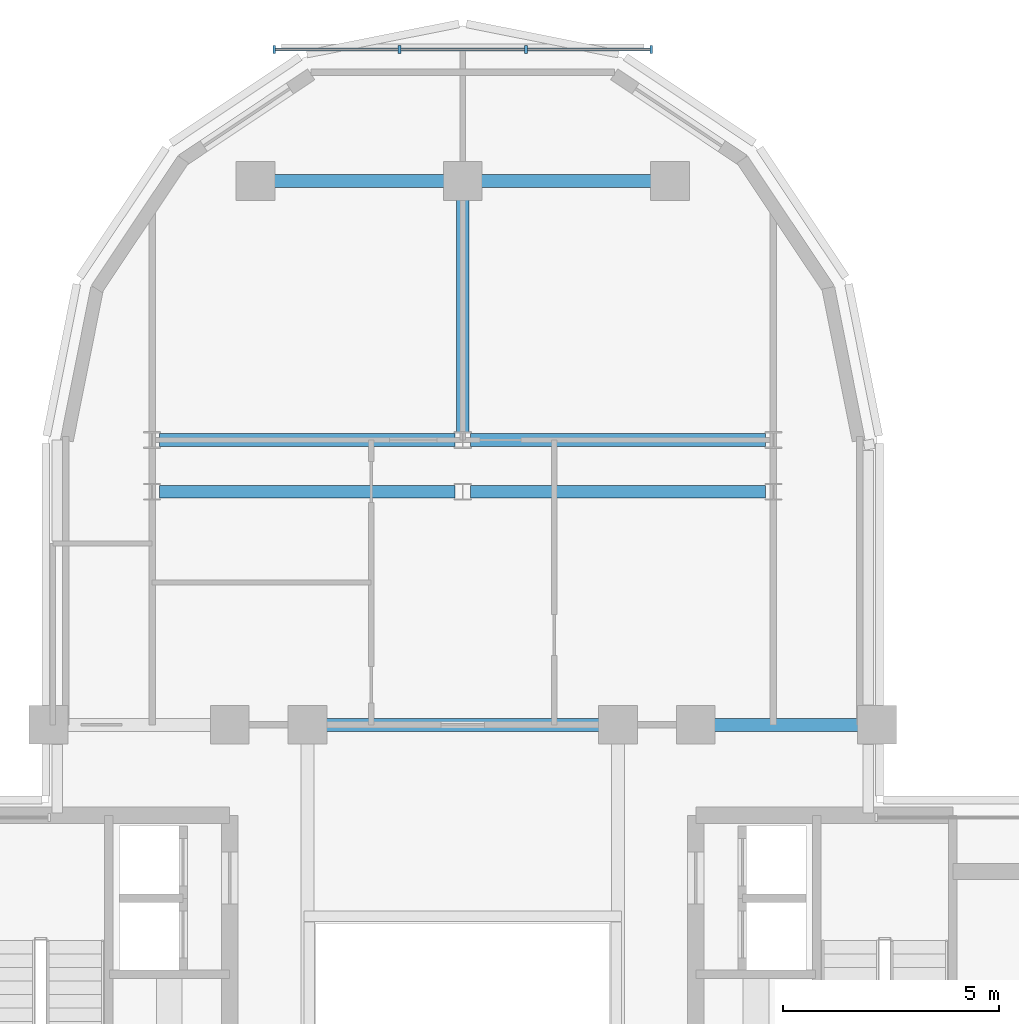
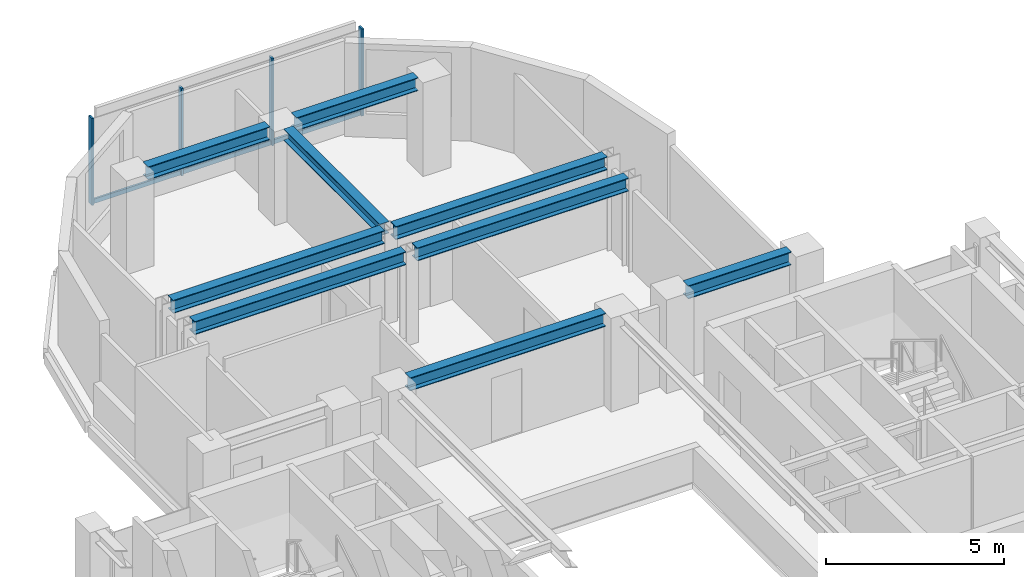
# One storey, part 4 of 11: 9 beams, 7 members, 1 element without a shape of its own.
"""IFC4 building model written with IfcOpenShell, lengths in metres."""

from ifc_helpers import new_model, si_unit, direction, frame, origin, origin_2d, place, context, subcontext, project, spatial, rectangle, i_section, extrude, source, transform, mapped, material, material_profile, profile_set, type_object, element, aggregate, save


model = new_model("IFC4")

# Units and contexts
model_context = context("Model", 3, precision=1e-05, world=origin(), true_north=direction((0.0, 1.0)))
body_context = subcontext(model_context, "Body", "Model", "MODEL_VIEW")
ifc_project = project(units=[si_unit("LENGTHUNIT", "METRE"), si_unit("AREAUNIT", "SQUARE_METRE"), si_unit("VOLUMEUNIT", "CUBIC_METRE"), si_unit("PLANEANGLEUNIT", "RADIAN"), si_unit("MASSUNIT", "GRAM", prefix="KILO")], contexts=[model_context])

# Site, building, storey
site_placement = place(None, origin())
site = spatial("IfcSite", under=ifc_project, at=site_placement, CompositionType="ELEMENT")
building_placement = place(site_placement, origin())
building = spatial("IfcBuilding", under=site, at=building_placement, Name="Keilestroom Media Tower", CompositionType="ELEMENT")
storey_placement = place(building_placement, frame((0.0, 0.0, 208.0)))
storey = spatial("IfcBuildingStorey", under=building, at=storey_placement, Name="L57", CompositionType="ELEMENT", Elevation=208.0)

# Beams
ifc_material_1 = material(Name="Steel S355", Category="steel")
ifc_material_profile_1 = material_profile(ifc_material_1, i_section(OverallWidth=0.300048828125, OverallDepth=0.449951171875, WebThickness=0.011962890625, FlangeThickness=0.02587890625, at=origin_2d()), Name="HEB 450")
ifc_profile_set_1 = profile_set([ifc_material_profile_1], Name="Steel S355")
beam_type_1 = type_object("IfcBeamType", Name="Primary-Structural-Girder-HEB-450", PredefinedType="BEAM", material=ifc_profile_set_1)
shared_shape_1 = source(origin(), body_context, "Body", "SweptSolid", [
    extrude(i_section(OverallWidth=0.300048828125, OverallDepth=0.449951171875, WebThickness=0.011962890625, FlangeThickness=0.02587890625, at=origin_2d()), origin(), (0.0, 0.0, 1.0), 3.940185546875),
])
for number, where, z_axis, x_axis, name in (
    (1, (-4.3701171875, 21.60009765625, 2.97509765625), (1.0, 0.0, 0.0), (0.0, 1.0, 0.0), "L57 Beam BG-7 BM-L57-EW-029"),
    (2, (0.429931640625, 21.60009765625, 2.97509765625), (1.0, 0.0, 0.0), (0.0, 1.0, 0.0), "L57 Beam BG-7 BM-L57-EW-030"),
):
    element("IfcBeam", number, at=place(storey_placement, frame(where, z_axis=z_axis, x_axis=x_axis)), inside=storey, type_object=beam_type_1, Name=name, PredefinedType="BEAM", context=body_context, shape_type="MappedRepresentation", body=[
        mapped(shared_shape_1, transform((0.0, 0.0, 0.0), x_axis=(1.0, 0.0, 0.0), y_axis=(0.0, 1.0, 0.0), z_axis=(0.0, 0.0, 1.0), scale=1.0)),
    ])
shared_shape_2 = source(origin(), body_context, "Body", "SweptSolid", [
    extrude(i_section(OverallWidth=0.300048828125, OverallDepth=0.449951171875, WebThickness=0.011962890625, FlangeThickness=0.02587890625, at=origin_2d()), origin(), (0.0, 0.0, 1.0), 6.842041015625),
])
for number, where, z_axis, x_axis, name in (
    (3, (-7.02099609375, 14.39990234375, 2.97509765625), (1.0, 0.0, 0.0), (0.0, 1.0, 0.0), "L57 Beam BG-7 BM-L57-EW-025"),
    (4, (0.178955078125, 14.39990234375, 2.97509765625), (1.0, 0.0, 0.0), (0.0, 1.0, 0.0), "L57 Beam BG-7 BM-L57-EW-026"),
    (5, (-7.02099609375, 15.60009765625, 2.97509765625), (1.0, 0.0, 0.0), (0.0, 1.0, 0.0), "L57 Beam BG-7 BM-L57-EW-027"),
    (6, (0.178955078125, 15.60009765625, 2.97509765625), (1.0, 0.0, 0.0), (0.0, 1.0, 0.0), "L57 Beam BG-7 BM-L57-EW-028"),
):
    element("IfcBeam", number, at=place(storey_placement, frame(where, z_axis=z_axis, x_axis=x_axis)), inside=storey, type_object=beam_type_1, Name=name, PredefinedType="BEAM", context=body_context, shape_type="MappedRepresentation", body=[
        mapped(shared_shape_2, transform((0.0, 0.0, 0.0), x_axis=(1.0, 0.0, 0.0), y_axis=(0.0, 1.0, 0.0), z_axis=(0.0, 0.0, 1.0), scale=1.0)),
    ])
shared_shape_3 = source(origin(), body_context, "Body", "SweptSolid", [
    extrude(i_section(OverallWidth=0.300048828125, OverallDepth=0.449951171875, WebThickness=0.011962890625, FlangeThickness=0.02587890625, at=origin_2d()), origin(), (0.0, 0.0, 1.0), 3.33984375),
])
beam_1_placement = place(storey_placement, frame((5.830078125, 9.0, 2.97509765625), z_axis=(1.0, 0.0, 0.0), x_axis=(0.0, 1.0, 0.0)))
element("IfcBeam", 7, at=beam_1_placement, inside=storey, type_object=beam_type_1, Name="L57 Beam BG-7 BM-L57-EW-024", PredefinedType="BEAM", context=body_context, shape_type="MappedRepresentation", body=[
    mapped(shared_shape_3, transform((0.0, 0.0, 0.0), x_axis=(1.0, 0.0, 0.0), y_axis=(0.0, 1.0, 0.0), z_axis=(0.0, 0.0, 1.0), scale=1.0)),
])
shared_shape_4 = source(origin(), body_context, "Body", "SweptSolid", [
    extrude(i_section(OverallWidth=0.300048828125, OverallDepth=0.449951171875, WebThickness=0.011962890625, FlangeThickness=0.02587890625, at=origin_2d()), origin(), (0.0, 0.0, 1.0), 6.33984375),
])
beam_2_placement = place(storey_placement, frame((-3.169921875, 9.0, 2.97509765625), z_axis=(1.0, 0.0, 0.0), x_axis=(0.0, 1.0, 0.0)))
element("IfcBeam", 8, at=beam_2_placement, inside=storey, type_object=beam_type_1, Name="L57 Beam BG-7 BM-L57-EW-022", PredefinedType="BEAM", context=body_context, shape_type="MappedRepresentation", body=[
    mapped(shared_shape_4, transform((0.0, 0.0, 0.0), x_axis=(1.0, 0.0, 0.0), y_axis=(0.0, 1.0, 0.0), z_axis=(0.0, 0.0, 1.0), scale=1.0)),
])
ifc_material_profile_2 = material_profile(ifc_material_1, i_section(OverallWidth=0.300048828125, OverallDepth=0.39990234375, WebThickness=0.011474609375, FlangeThickness=0.02392578125, at=origin_2d()), Name="HEB 400")
ifc_profile_set_2 = profile_set([ifc_material_profile_2], Name="Steel S355")
beam_type_2 = type_object("IfcBeamType", Name="Primary-Structural-Girder-HEB-400", PredefinedType="BEAM", material=ifc_profile_set_2)
shared_shape_5 = source(origin(), body_context, "Body", "SweptSolid", [
    extrude(i_section(OverallWidth=0.300048828125, OverallDepth=0.39990234375, WebThickness=0.011474609375, FlangeThickness=0.02392578125, at=origin_2d()), origin(), (0.0, 0.0, 1.0), 5.396484375),
])
beam_3_placement = place(storey_placement, frame((0.0, 15.7734375, 3.0), z_axis=(0.0, 1.0, 0.0), x_axis=(-1.0, 0.0, 0.0)))
element("IfcBeam", 9, at=beam_3_placement, inside=storey, type_object=beam_type_2, Name="L57 Beam BG-8 BM-L57-NS-044", PredefinedType="BEAM", context=body_context, shape_type="MappedRepresentation", body=[
    mapped(shared_shape_5, transform((0.0, 0.0, 0.0), x_axis=(1.0, 0.0, 0.0), y_axis=(0.0, 1.0, 0.0), z_axis=(0.0, 0.0, 1.0), scale=1.0)),
])

# Curtain wall, members
ifc_material_2 = material(Name="Anodised Aluminium Alloy", Category="aluminium")
curtain_wall_type = type_object("IfcCurtainWallType", Name="Unitised-Curtain-Wall-CW-6", PredefinedType="NOTDEFINED", material=ifc_material_2)
curtain_wall_placement = place(storey_placement, origin())
curtain_wall = element("IfcCurtainWall", 10, at=curtain_wall_placement, inside=storey, type_object=curtain_wall_type, Name="L57 Curtain Wall CW-6 CW-L57-LN-1", PredefinedType="NOTDEFINED")
ifc_material_profile_3 = material_profile(ifc_material_2, rectangle(XDim=0.06494140625, YDim=0.179931640625, at=origin_2d()), Name="ALU MULLION 65x180")
ifc_profile_set_3 = profile_set([ifc_material_profile_3], Name="Anodised Aluminium Alloy")
member_type_1 = type_object("IfcMemberType", Name="Curtain-Wall-Mullion-CW-6", PredefinedType="MULLION", material=ifc_profile_set_3)
shared_shape_6 = source(origin(), body_context, "Body", "SweptSolid", [
    extrude(rectangle(XDim=0.06494140625, YDim=0.179931640625, at=origin_2d()), origin(), (0.0, 0.0, 1.0), 2.97998046875),
])
member_1_placement = place(storey_placement, frame((-4.367431640625, 24.64990234375, 0.0), z_axis=(0.0, 0.0, 1.0), x_axis=(1.0, 0.0, 0.0)))
member_1 = element("IfcMember", 11, at=member_1_placement, type_object=member_type_1, Name="CW-6 Mullion 00", PredefinedType="MULLION", context=body_context, shape_type="MappedRepresentation", body=[
    mapped(shared_shape_6, transform((0.0, 0.0, 0.0), x_axis=(1.0, 0.0, 0.0), y_axis=(0.0, 1.0, 0.0), z_axis=(0.0, 0.0, 1.0), scale=1.0)),
])
member_2_placement = place(storey_placement, frame((-1.466796875, 24.64990234375, 0.0), z_axis=(0.0, 0.0, 1.0), x_axis=(1.0, 0.0, 0.0)))
member_2 = element("IfcMember", 12, at=member_2_placement, type_object=member_type_1, Name="CW-6 Mullion 01", PredefinedType="MULLION", context=body_context, shape_type="MappedRepresentation", body=[
    mapped(shared_shape_6, transform((0.0, 0.0, 0.0), x_axis=(1.0, 0.0, 0.0), y_axis=(0.0, 1.0, 0.0), z_axis=(0.0, 0.0, 1.0), scale=1.0)),
])
member_3_placement = place(storey_placement, frame((1.466796875, 24.64990234375, 0.0), z_axis=(0.0, 0.0, 1.0), x_axis=(1.0, 0.0, 0.0)))
member_3 = element("IfcMember", 13, at=member_3_placement, type_object=member_type_1, Name="CW-6 Mullion 02", PredefinedType="MULLION", context=body_context, shape_type="MappedRepresentation", body=[
    mapped(shared_shape_6, transform((0.0, 0.0, 0.0), x_axis=(1.0, 0.0, 0.0), y_axis=(0.0, 1.0, 0.0), z_axis=(0.0, 0.0, 1.0), scale=1.0)),
])
member_4_placement = place(storey_placement, frame((4.367431640625, 24.64990234375, 0.0), z_axis=(0.0, 0.0, 1.0), x_axis=(1.0, 0.0, 0.0)))
member_4 = element("IfcMember", 14, at=member_4_placement, type_object=member_type_1, Name="CW-6 Mullion 03", PredefinedType="MULLION", context=body_context, shape_type="MappedRepresentation", body=[
    mapped(shared_shape_6, transform((0.0, 0.0, 0.0), x_axis=(1.0, 0.0, 0.0), y_axis=(0.0, 1.0, 0.0), z_axis=(0.0, 0.0, 1.0), scale=1.0)),
])
ifc_material_profile_4 = material_profile(ifc_material_2, rectangle(XDim=0.06494140625, YDim=0.14990234375, at=origin_2d()), Name="ALU TRANSOM 65x150")
ifc_profile_set_4 = profile_set([ifc_material_profile_4], Name="Anodised Aluminium Alloy")
member_type_2 = type_object("IfcMemberType", Name="Curtain-Wall-Transom-CW-6", PredefinedType="USERDEFINED", material=ifc_profile_set_4)
shared_shape_7 = source(origin(), body_context, "Body", "SweptSolid", [
    extrude(rectangle(XDim=0.06494140625, YDim=0.14990234375, at=origin_2d()), origin(), (0.0, 0.0, 1.0), 2.839599609375),
])
member_5_placement = place(storey_placement, frame((-4.3369140625, 24.64990234375, 0.074951171875), z_axis=(1.0, 0.0, 0.0), x_axis=(0.0, 1.0, 0.0)))
member_5 = element("IfcMember", 15, at=member_5_placement, type_object=member_type_2, Name="CW-6 Transom 00.1", ObjectType="TRANSOM", PredefinedType="USERDEFINED", context=body_context, shape_type="MappedRepresentation", body=[
    mapped(shared_shape_7, transform((0.0, 0.0, 0.0), x_axis=(1.0, 0.0, 0.0), y_axis=(0.0, 1.0, 0.0), z_axis=(0.0, 0.0, 1.0), scale=1.0)),
])
member_6_placement = place(storey_placement, frame((1.497314453125, 24.64990234375, 0.074951171875), z_axis=(1.0, 0.0, 0.0), x_axis=(0.0, 1.0, 0.0)))
member_6 = element("IfcMember", 16, at=member_6_placement, type_object=member_type_2, Name="CW-6 Transom 02.1", ObjectType="TRANSOM", PredefinedType="USERDEFINED", context=body_context, shape_type="MappedRepresentation", body=[
    mapped(shared_shape_7, transform((0.0, 0.0, 0.0), x_axis=(1.0, 0.0, 0.0), y_axis=(0.0, 1.0, 0.0), z_axis=(0.0, 0.0, 1.0), scale=1.0)),
])
shared_shape_8 = source(origin(), body_context, "Body", "SweptSolid", [
    extrude(rectangle(XDim=0.06494140625, YDim=0.14990234375, at=origin_2d()), origin(), (0.0, 0.0, 1.0), 2.87255859375),
])
member_7_placement = place(storey_placement, frame((-1.436279296875, 24.64990234375, 0.074951171875), z_axis=(1.0, 0.0, 0.0), x_axis=(0.0, 1.0, 0.0)))
member_7 = element("IfcMember", 17, at=member_7_placement, type_object=member_type_2, Name="CW-6 Transom 01.1", ObjectType="TRANSOM", PredefinedType="USERDEFINED", context=body_context, shape_type="MappedRepresentation", body=[
    mapped(shared_shape_8, transform((0.0, 0.0, 0.0), x_axis=(1.0, 0.0, 0.0), y_axis=(0.0, 1.0, 0.0), z_axis=(0.0, 0.0, 1.0), scale=1.0)),
])
aggregate(curtain_wall, [member_1, member_2, member_3, member_4, member_5, member_7, member_6])

save(model, "model.ifc")
